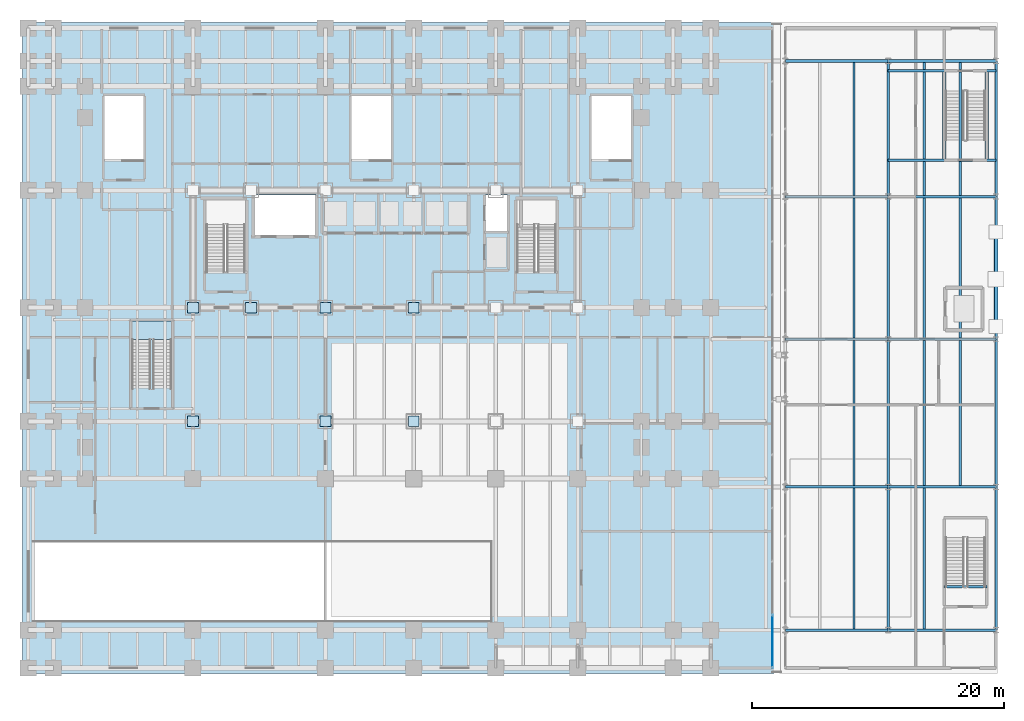
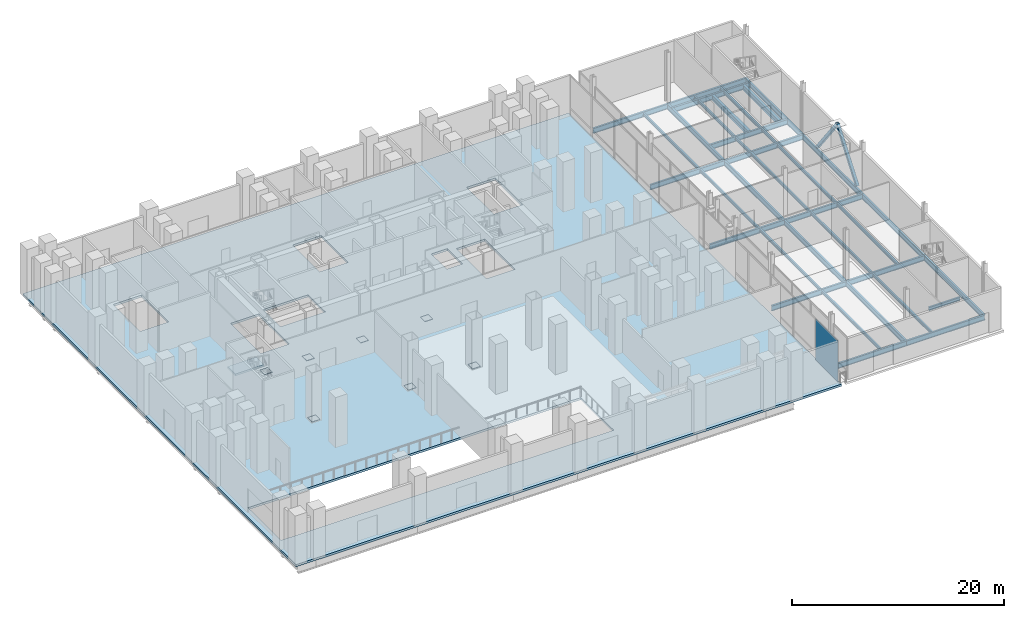
# One storey, part 21 of 36: 34 beams, 8 plates, 2 members, 2 slabs, 8 openings, 2 elements without a shape of their own.
"""IFC4 building model written with IfcOpenShell, lengths in metres."""

from ifc_helpers import new_model, si_unit, direction, frame, origin, origin_2d, place, context, subcontext, project, spatial, polyline, rectangle, hollow_rectangle, i_section, outline, extrude, material, layer, layer_set, material_profile, profile_set, type_object, element, aggregate, save


model = new_model("IFC4")

# Units and contexts
model_context = context("Model", 3, precision=1e-05, world=origin(), true_north=direction((0.0, 1.0)))
body_context = subcontext(model_context, "Body", "Model", "MODEL_VIEW")
ifc_project = project(units=[si_unit("LENGTHUNIT", "METRE"), si_unit("AREAUNIT", "SQUARE_METRE"), si_unit("VOLUMEUNIT", "CUBIC_METRE"), si_unit("PLANEANGLEUNIT", "RADIAN"), si_unit("MASSUNIT", "GRAM", prefix="KILO")], contexts=[model_context])

# Site, building, storey
site_placement = place(None, origin())
site = spatial("IfcSite", under=ifc_project, at=site_placement, CompositionType="ELEMENT")
building_placement = place(site_placement, origin())
building = spatial("IfcBuilding", under=site, at=building_placement, Name="Noeulbin Bourse Tower", CompositionType="ELEMENT")
storey_placement = place(building_placement, origin())
storey = spatial("IfcBuildingStorey", under=building, at=storey_placement, Name="L01", CompositionType="ELEMENT", Elevation=0.0)

# Beams
ifc_material_1 = material(Name="Steel S355", Category="steel")
ifc_material_profile_1 = material_profile(ifc_material_1, i_section(OverallWidth=0.300048828125, OverallDepth=0.587890625, WebThickness=0.011962890625, FlangeThickness=0.02001953125, FilletRadius=0.02392578125, at=origin_2d()), Name="H-588x300x12x20", Category="LoadBearing")
ifc_profile_set_1 = profile_set([ifc_material_profile_1], Name="Steel S355")
beam_type_1 = type_object("IfcBeamType", Name="BM-GRD-588", PredefinedType="USERDEFINED", material=ifc_profile_set_1)
for number, where, z_axis, x_axis, name in (
    (1, (73.0400390625, 40.699951171875, -0.513916015625), (0.0, 1.0, 0.0), (-1.0, 0.0, 0.0), "Stair Shaft Tie Beam MST2-X1"),
    (2, (76.39990234375, 40.699951171875, -0.513916015625), (0.0, 1.0, 0.0), (-1.0, 0.0, 0.0), "Stair Shaft Tie Beam MST2-X2"),
):
    element("IfcBeam", number, at=place(storey_placement, frame(where, z_axis=z_axis, x_axis=x_axis)), inside=storey, type_object=beam_type_1, Name=name, ObjectType="GIRDER", PredefinedType="USERDEFINED", context=body_context, shape_type="SweptSolid", body=[
        extrude(i_section(OverallWidth=0.300048828125, OverallDepth=0.587890625, WebThickness=0.011962890625, FlangeThickness=0.02001953125, FilletRadius=0.02392578125, at=origin_2d()), origin(), (0.0, 0.0, 1.0), 7.06005859375),
    ])
ifc_material_profile_2 = material_profile(ifc_material_1, i_section(OverallWidth=0.199951171875, OverallDepth=0.60009765625, WebThickness=0.010986328125, FlangeThickness=0.01708984375, FilletRadius=0.02197265625, at=origin_2d()), Name="H-600x200x11x17", Category="LoadBearing")
ifc_profile_set_2 = profile_set([ifc_material_profile_2], Name="Steel S355")
beam_type_2 = type_object("IfcBeamType", Name="BM-GRD-600", PredefinedType="USERDEFINED", material=ifc_profile_set_2)
beam_1_placement = place(storey_placement, frame((60.449951171875, 3.449951171875, -0.52001953125), z_axis=(1.0, 0.0, 0.0), x_axis=(0.0, 1.0, 0.0)))
element("IfcBeam", 3, at=beam_1_placement, inside=storey, type_object=beam_type_2, Name="Market Hall Girder EW L01-01", ObjectType="GIRDER", PredefinedType="USERDEFINED", context=body_context, shape_type="SweptSolid", body=[
    extrude(i_section(OverallWidth=0.199951171875, OverallDepth=0.60009765625, WebThickness=0.010986328125, FlangeThickness=0.01708984375, FilletRadius=0.02197265625, at=origin_2d()), origin(), (0.0, 0.0, 1.0), 8.150146484375),
])
beam_2_placement = place(storey_placement, frame((68.60009765625, 3.449951171875, -0.52001953125), z_axis=(1.0, 0.0, 0.0), x_axis=(0.0, 1.0, 0.0)))
element("IfcBeam", 4, at=beam_2_placement, inside=storey, type_object=beam_type_2, Name="Market Hall Girder EW L01-02", ObjectType="GIRDER", PredefinedType="USERDEFINED", context=body_context, shape_type="SweptSolid", body=[
    extrude(i_section(OverallWidth=0.199951171875, OverallDepth=0.60009765625, WebThickness=0.010986328125, FlangeThickness=0.01708984375, FilletRadius=0.02197265625, at=origin_2d()), origin(), (0.0, 0.0, 1.0), 8.5498046875),
])
beam_3_placement = place(storey_placement, frame((60.449951171875, 14.800048828125, -0.52001953125), z_axis=(1.0, 0.0, 0.0), x_axis=(0.0, 1.0, 0.0)))
element("IfcBeam", 5, at=beam_3_placement, inside=storey, type_object=beam_type_2, Name="Market Hall Girder EW L01-03", ObjectType="GIRDER", PredefinedType="USERDEFINED", context=body_context, shape_type="SweptSolid", body=[
    extrude(i_section(OverallWidth=0.199951171875, OverallDepth=0.60009765625, WebThickness=0.010986328125, FlangeThickness=0.01708984375, FilletRadius=0.02197265625, at=origin_2d()), origin(), (0.0, 0.0, 1.0), 8.150146484375),
])
beam_4_placement = place(storey_placement, frame((68.60009765625, 14.800048828125, -0.52001953125), z_axis=(1.0, 0.0, 0.0), x_axis=(0.0, 1.0, 0.0)))
element("IfcBeam", 6, at=beam_4_placement, inside=storey, type_object=beam_type_2, Name="Market Hall Girder EW L01-04", ObjectType="GIRDER", PredefinedType="USERDEFINED", context=body_context, shape_type="SweptSolid", body=[
    extrude(i_section(OverallWidth=0.199951171875, OverallDepth=0.60009765625, WebThickness=0.010986328125, FlangeThickness=0.01708984375, FilletRadius=0.02197265625, at=origin_2d()), origin(), (0.0, 0.0, 1.0), 8.5498046875),
])
beam_5_placement = place(storey_placement, frame((60.449951171875, 26.5, -0.52001953125), z_axis=(1.0, 0.0, 0.0), x_axis=(0.0, 1.0, 0.0)))
element("IfcBeam", 7, at=beam_5_placement, inside=storey, type_object=beam_type_2, Name="Market Hall Girder EW L01-05", ObjectType="GIRDER", PredefinedType="USERDEFINED", context=body_context, shape_type="SweptSolid", body=[
    extrude(i_section(OverallWidth=0.199951171875, OverallDepth=0.60009765625, WebThickness=0.010986328125, FlangeThickness=0.01708984375, FilletRadius=0.02197265625, at=origin_2d()), origin(), (0.0, 0.0, 1.0), 8.150146484375),
])
beam_6_placement = place(storey_placement, frame((68.60009765625, 26.5, -0.52001953125), z_axis=(1.0, 0.0, 0.0), x_axis=(0.0, 1.0, 0.0)))
element("IfcBeam", 8, at=beam_6_placement, inside=storey, type_object=beam_type_2, Name="Market Hall Girder EW L01-06", ObjectType="GIRDER", PredefinedType="USERDEFINED", context=body_context, shape_type="SweptSolid", body=[
    extrude(i_section(OverallWidth=0.199951171875, OverallDepth=0.60009765625, WebThickness=0.010986328125, FlangeThickness=0.01708984375, FilletRadius=0.02197265625, at=origin_2d()), origin(), (0.0, 0.0, 1.0), 8.5498046875),
])
beam_7_placement = place(storey_placement, frame((60.449951171875, 37.800048828125, -0.52001953125), z_axis=(1.0, 0.0, 0.0), x_axis=(0.0, 1.0, 0.0)))
element("IfcBeam", 9, at=beam_7_placement, inside=storey, type_object=beam_type_2, Name="Market Hall Girder EW L01-07", ObjectType="GIRDER", PredefinedType="USERDEFINED", context=body_context, shape_type="SweptSolid", body=[
    extrude(i_section(OverallWidth=0.199951171875, OverallDepth=0.60009765625, WebThickness=0.010986328125, FlangeThickness=0.01708984375, FilletRadius=0.02197265625, at=origin_2d()), origin(), (0.0, 0.0, 1.0), 8.150146484375),
])
beam_8_placement = place(storey_placement, frame((68.60009765625, 37.800048828125, -0.52001953125), z_axis=(1.0, 0.0, 0.0), x_axis=(0.0, 1.0, 0.0)))
element("IfcBeam", 10, at=beam_8_placement, inside=storey, type_object=beam_type_2, Name="Market Hall Girder EW L01-08", ObjectType="GIRDER", PredefinedType="USERDEFINED", context=body_context, shape_type="SweptSolid", body=[
    extrude(i_section(OverallWidth=0.199951171875, OverallDepth=0.60009765625, WebThickness=0.010986328125, FlangeThickness=0.01708984375, FilletRadius=0.02197265625, at=origin_2d()), origin(), (0.0, 0.0, 1.0), 8.5498046875),
])
beam_9_placement = place(storey_placement, frame((60.449951171875, 48.550048828125, -0.52001953125), z_axis=(1.0, 0.0, 0.0), x_axis=(0.0, 1.0, 0.0)))
element("IfcBeam", 11, at=beam_9_placement, inside=storey, type_object=beam_type_2, Name="Market Hall Girder EW L01-09", ObjectType="GIRDER", PredefinedType="USERDEFINED", context=body_context, shape_type="SweptSolid", body=[
    extrude(i_section(OverallWidth=0.199951171875, OverallDepth=0.60009765625, WebThickness=0.010986328125, FlangeThickness=0.01708984375, FilletRadius=0.02197265625, at=origin_2d()), origin(), (0.0, 0.0, 1.0), 8.150146484375),
])
beam_10_placement = place(storey_placement, frame((68.60009765625, 48.550048828125, -0.52001953125), z_axis=(1.0, 0.0, 0.0), x_axis=(0.0, 1.0, 0.0)))
element("IfcBeam", 12, at=beam_10_placement, inside=storey, type_object=beam_type_2, Name="Market Hall Girder EW L01-10", ObjectType="GIRDER", PredefinedType="USERDEFINED", context=body_context, shape_type="SweptSolid", body=[
    extrude(i_section(OverallWidth=0.199951171875, OverallDepth=0.60009765625, WebThickness=0.010986328125, FlangeThickness=0.01708984375, FilletRadius=0.02197265625, at=origin_2d()), origin(), (0.0, 0.0, 1.0), 8.5498046875),
])
beam_11_placement = place(storey_placement, frame((68.60009765625, 3.449951171875, -0.52001953125), z_axis=(0.0, 1.0, 0.0), x_axis=(-1.0, 0.0, 0.0)))
element("IfcBeam", 13, at=beam_11_placement, inside=storey, type_object=beam_type_2, Name="Market Hall Girder NS L01-15", ObjectType="GIRDER", PredefinedType="USERDEFINED", context=body_context, shape_type="SweptSolid", body=[
    extrude(i_section(OverallWidth=0.199951171875, OverallDepth=0.60009765625, WebThickness=0.010986328125, FlangeThickness=0.01708984375, FilletRadius=0.02197265625, at=origin_2d()), origin(), (0.0, 0.0, 1.0), 11.35009765625),
])
beam_12_placement = place(storey_placement, frame((68.60009765625, 14.800048828125, -0.52001953125), z_axis=(0.0, 1.0, 0.0), x_axis=(-1.0, 0.0, 0.0)))
element("IfcBeam", 14, at=beam_12_placement, inside=storey, type_object=beam_type_2, Name="Market Hall Girder NS L01-16", ObjectType="GIRDER", PredefinedType="USERDEFINED", context=body_context, shape_type="SweptSolid", body=[
    extrude(i_section(OverallWidth=0.199951171875, OverallDepth=0.60009765625, WebThickness=0.010986328125, FlangeThickness=0.01708984375, FilletRadius=0.02197265625, at=origin_2d()), origin(), (0.0, 0.0, 1.0), 11.699951171875),
])
beam_13_placement = place(storey_placement, frame((68.60009765625, 26.5, -0.52001953125), z_axis=(0.0, 1.0, 0.0), x_axis=(-1.0, 0.0, 0.0)))
element("IfcBeam", 15, at=beam_13_placement, inside=storey, type_object=beam_type_2, Name="Market Hall Girder NS L01-17", ObjectType="GIRDER", PredefinedType="USERDEFINED", context=body_context, shape_type="SweptSolid", body=[
    extrude(i_section(OverallWidth=0.199951171875, OverallDepth=0.60009765625, WebThickness=0.010986328125, FlangeThickness=0.01708984375, FilletRadius=0.02197265625, at=origin_2d()), origin(), (0.0, 0.0, 1.0), 11.300048828125),
])
beam_14_placement = place(storey_placement, frame((68.60009765625, 37.800048828125, -0.52001953125), z_axis=(0.0, 1.0, 0.0), x_axis=(-1.0, 0.0, 0.0)))
element("IfcBeam", 16, at=beam_14_placement, inside=storey, type_object=beam_type_2, Name="Market Hall Girder NS L01-18", ObjectType="GIRDER", PredefinedType="USERDEFINED", context=body_context, shape_type="SweptSolid", body=[
    extrude(i_section(OverallWidth=0.199951171875, OverallDepth=0.60009765625, WebThickness=0.010986328125, FlangeThickness=0.01708984375, FilletRadius=0.02197265625, at=origin_2d()), origin(), (0.0, 0.0, 1.0), 10.75),
])
beam_15_placement = place(storey_placement, frame((77.14990234375, 3.449951171875, -0.52001953125), z_axis=(0.0, 1.0, 0.0), x_axis=(-1.0, 0.0, 0.0)))
element("IfcBeam", 17, at=beam_15_placement, inside=storey, type_object=beam_type_2, Name="Market Hall Girder NS L01-19", ObjectType="GIRDER", PredefinedType="USERDEFINED", context=body_context, shape_type="SweptSolid", body=[
    extrude(i_section(OverallWidth=0.199951171875, OverallDepth=0.60009765625, WebThickness=0.010986328125, FlangeThickness=0.01708984375, FilletRadius=0.02197265625, at=origin_2d()), origin(), (0.0, 0.0, 1.0), 11.35009765625),
])
beam_16_placement = place(storey_placement, frame((77.14990234375, 14.800048828125, -0.52001953125), z_axis=(0.0, 1.0, 0.0), x_axis=(-1.0, 0.0, 0.0)))
element("IfcBeam", 18, at=beam_16_placement, inside=storey, type_object=beam_type_2, Name="Market Hall Girder NS L01-20", ObjectType="GIRDER", PredefinedType="USERDEFINED", context=body_context, shape_type="SweptSolid", body=[
    extrude(i_section(OverallWidth=0.199951171875, OverallDepth=0.60009765625, WebThickness=0.010986328125, FlangeThickness=0.01708984375, FilletRadius=0.02197265625, at=origin_2d()), origin(), (0.0, 0.0, 1.0), 11.699951171875),
])
beam_17_placement = place(storey_placement, frame((77.14990234375, 26.5, -0.52001953125), z_axis=(0.0, 1.0, 0.0), x_axis=(-1.0, 0.0, 0.0)))
element("IfcBeam", 19, at=beam_17_placement, inside=storey, type_object=beam_type_2, Name="Market Hall Girder NS L01-21", ObjectType="GIRDER", PredefinedType="USERDEFINED", context=body_context, shape_type="SweptSolid", body=[
    extrude(i_section(OverallWidth=0.199951171875, OverallDepth=0.60009765625, WebThickness=0.010986328125, FlangeThickness=0.01708984375, FilletRadius=0.02197265625, at=origin_2d()), origin(), (0.0, 0.0, 1.0), 11.300048828125),
])
beam_18_placement = place(storey_placement, frame((77.14990234375, 37.800048828125, -0.52001953125), z_axis=(0.0, 1.0, 0.0), x_axis=(-1.0, 0.0, 0.0)))
element("IfcBeam", 20, at=beam_18_placement, inside=storey, type_object=beam_type_2, Name="Market Hall Girder NS L01-22", ObjectType="GIRDER", PredefinedType="USERDEFINED", context=body_context, shape_type="SweptSolid", body=[
    extrude(i_section(OverallWidth=0.199951171875, OverallDepth=0.60009765625, WebThickness=0.010986328125, FlangeThickness=0.01708984375, FilletRadius=0.02197265625, at=origin_2d()), origin(), (0.0, 0.0, 1.0), 10.75),
])
for number, where, z_axis, x_axis, name in (
    (21, (68.60009765625, 40.699951171875, -0.52001953125), (1.0, 0.0, 0.0), (0.0, 1.0, 0.0), "Stair Shaft Support Girder MST2-Y1"),
    (22, (68.60009765625, 47.760009765625, -0.52001953125), (1.0, 0.0, 0.0), (0.0, 1.0, 0.0), "Stair Shaft Support Girder MST2-Y2"),
):
    element("IfcBeam", number, at=place(storey_placement, frame(where, z_axis=z_axis, x_axis=x_axis)), inside=storey, type_object=beam_type_2, Name=name, ObjectType="GIRDER", PredefinedType="USERDEFINED", context=body_context, shape_type="SweptSolid", body=[
        extrude(i_section(OverallWidth=0.199951171875, OverallDepth=0.60009765625, WebThickness=0.010986328125, FlangeThickness=0.01708984375, FilletRadius=0.02197265625, at=origin_2d()), origin(), (0.0, 0.0, 1.0), 8.5498046875),
    ])
ifc_material_profile_3 = material_profile(ifc_material_1, i_section(OverallWidth=0.175048828125, OverallDepth=0.35009765625, WebThickness=0.007080078125, FlangeThickness=0.010986328125, FilletRadius=0.013916015625, at=origin_2d()), Name="H-350x175x7x11", Category="LoadBearing")
ifc_profile_set_3 = profile_set([ifc_material_profile_3], Name="Steel S355")
beam_type_3 = type_object("IfcBeamType", Name="BM-JST-350", PredefinedType="JOIST", material=ifc_profile_set_3)
beam_19_placement = place(storey_placement, frame((65.88330078125, 3.550048828125, -0.39501953125), z_axis=(0.0, 1.0, 0.0), x_axis=(-1.0, 0.0, 0.0)))
element("IfcBeam", 23, at=beam_19_placement, inside=storey, type_object=beam_type_3, Name="Market Hall Secondary Joist L01-05", PredefinedType="JOIST", context=body_context, shape_type="SweptSolid", body=[
    extrude(i_section(OverallWidth=0.175048828125, OverallDepth=0.35009765625, WebThickness=0.007080078125, FlangeThickness=0.010986328125, FilletRadius=0.013916015625, at=origin_2d()), origin(), (0.0, 0.0, 1.0), 11.14990234375),
])
beam_20_placement = place(storey_placement, frame((65.88330078125, 14.89990234375, -0.39501953125), z_axis=(0.0, 1.0, 0.0), x_axis=(-1.0, 0.0, 0.0)))
element("IfcBeam", 24, at=beam_20_placement, inside=storey, type_object=beam_type_3, Name="Market Hall Secondary Joist L01-06", PredefinedType="JOIST", context=body_context, shape_type="SweptSolid", body=[
    extrude(i_section(OverallWidth=0.175048828125, OverallDepth=0.35009765625, WebThickness=0.007080078125, FlangeThickness=0.010986328125, FilletRadius=0.013916015625, at=origin_2d()), origin(), (0.0, 0.0, 1.0), 11.5),
])
beam_21_placement = place(storey_placement, frame((65.88330078125, 26.60009765625, -0.39501953125), z_axis=(0.0, 1.0, 0.0), x_axis=(-1.0, 0.0, 0.0)))
element("IfcBeam", 25, at=beam_21_placement, inside=storey, type_object=beam_type_3, Name="Market Hall Secondary Joist L01-07", PredefinedType="JOIST", context=body_context, shape_type="SweptSolid", body=[
    extrude(i_section(OverallWidth=0.175048828125, OverallDepth=0.35009765625, WebThickness=0.007080078125, FlangeThickness=0.010986328125, FilletRadius=0.013916015625, at=origin_2d()), origin(), (0.0, 0.0, 1.0), 11.099853515625),
])
beam_22_placement = place(storey_placement, frame((65.88330078125, 37.89990234375, -0.39501953125), z_axis=(0.0, 1.0, 0.0), x_axis=(-1.0, 0.0, 0.0)))
element("IfcBeam", 26, at=beam_22_placement, inside=storey, type_object=beam_type_3, Name="Market Hall Secondary Joist L01-08", PredefinedType="JOIST", context=body_context, shape_type="SweptSolid", body=[
    extrude(i_section(OverallWidth=0.175048828125, OverallDepth=0.35009765625, WebThickness=0.007080078125, FlangeThickness=0.010986328125, FilletRadius=0.013916015625, at=origin_2d()), origin(), (0.0, 0.0, 1.0), 10.550048828125),
])
beam_23_placement = place(storey_placement, frame((71.449951171875, 3.550048828125, -0.39501953125), z_axis=(0.0, 1.0, 0.0), x_axis=(-1.0, 0.0, 0.0)))
element("IfcBeam", 27, at=beam_23_placement, inside=storey, type_object=beam_type_3, Name="Market Hall Secondary Joist L01-09", PredefinedType="JOIST", context=body_context, shape_type="SweptSolid", body=[
    extrude(i_section(OverallWidth=0.175048828125, OverallDepth=0.35009765625, WebThickness=0.007080078125, FlangeThickness=0.010986328125, FilletRadius=0.013916015625, at=origin_2d()), origin(), (0.0, 0.0, 1.0), 11.14990234375),
])
beam_24_placement = place(storey_placement, frame((71.449951171875, 14.89990234375, -0.39501953125), z_axis=(0.0, 1.0, 0.0), x_axis=(-1.0, 0.0, 0.0)))
element("IfcBeam", 28, at=beam_24_placement, inside=storey, type_object=beam_type_3, Name="Market Hall Secondary Joist L01-10", PredefinedType="JOIST", context=body_context, shape_type="SweptSolid", body=[
    extrude(i_section(OverallWidth=0.175048828125, OverallDepth=0.35009765625, WebThickness=0.007080078125, FlangeThickness=0.010986328125, FilletRadius=0.013916015625, at=origin_2d()), origin(), (0.0, 0.0, 1.0), 11.5),
])
beam_25_placement = place(storey_placement, frame((71.449951171875, 26.60009765625, -0.39501953125), z_axis=(0.0, 1.0, 0.0), x_axis=(-1.0, 0.0, 0.0)))
element("IfcBeam", 29, at=beam_25_placement, inside=storey, type_object=beam_type_3, Name="Market Hall Secondary Joist L01-11", PredefinedType="JOIST", context=body_context, shape_type="SweptSolid", body=[
    extrude(i_section(OverallWidth=0.175048828125, OverallDepth=0.35009765625, WebThickness=0.007080078125, FlangeThickness=0.010986328125, FilletRadius=0.013916015625, at=origin_2d()), origin(), (0.0, 0.0, 1.0), 11.099853515625),
])
beam_26_placement = place(storey_placement, frame((71.449951171875, 37.89990234375, -0.39501953125), z_axis=(0.0, 1.0, 0.0), x_axis=(-1.0, 0.0, 0.0)))
element("IfcBeam", 30, at=beam_26_placement, inside=storey, type_object=beam_type_3, Name="Market Hall Secondary Joist L01-12", PredefinedType="JOIST", context=body_context, shape_type="SweptSolid", body=[
    extrude(i_section(OverallWidth=0.175048828125, OverallDepth=0.35009765625, WebThickness=0.007080078125, FlangeThickness=0.010986328125, FilletRadius=0.013916015625, at=origin_2d()), origin(), (0.0, 0.0, 1.0), 10.550048828125),
])
beam_27_placement = place(storey_placement, frame((74.300048828125, 14.89990234375, -0.39501953125), z_axis=(0.0, 1.0, 0.0), x_axis=(-1.0, 0.0, 0.0)))
element("IfcBeam", 31, at=beam_27_placement, inside=storey, type_object=beam_type_3, Name="Market Hall Secondary Joist L01-13", PredefinedType="JOIST", context=body_context, shape_type="SweptSolid", body=[
    extrude(i_section(OverallWidth=0.175048828125, OverallDepth=0.35009765625, WebThickness=0.007080078125, FlangeThickness=0.010986328125, FilletRadius=0.013916015625, at=origin_2d()), origin(), (0.0, 0.0, 1.0), 11.5),
])
beam_28_placement = place(storey_placement, frame((74.300048828125, 26.60009765625, -0.39501953125), z_axis=(0.0, 1.0, 0.0), x_axis=(-1.0, 0.0, 0.0)))
element("IfcBeam", 32, at=beam_28_placement, inside=storey, type_object=beam_type_3, Name="Market Hall Secondary Joist L01-14", PredefinedType="JOIST", context=body_context, shape_type="SweptSolid", body=[
    extrude(i_section(OverallWidth=0.175048828125, OverallDepth=0.35009765625, WebThickness=0.007080078125, FlangeThickness=0.010986328125, FilletRadius=0.013916015625, at=origin_2d()), origin(), (0.0, 0.0, 1.0), 11.099853515625),
])
beam_29_placement = place(storey_placement, frame((74.300048828125, 37.89990234375, -0.39501953125), z_axis=(0.0, 1.0, 0.0), x_axis=(-1.0, 0.0, 0.0)))
element("IfcBeam", 33, at=beam_29_placement, inside=storey, type_object=beam_type_3, Name="Market Hall Secondary Joist L01-15", PredefinedType="JOIST", context=body_context, shape_type="SweptSolid", body=[
    extrude(i_section(OverallWidth=0.175048828125, OverallDepth=0.35009765625, WebThickness=0.007080078125, FlangeThickness=0.010986328125, FilletRadius=0.013916015625, at=origin_2d()), origin(), (0.0, 0.0, 1.0), 10.550048828125),
])
ifc_material_profile_4 = material_profile(ifc_material_1, i_section(OverallWidth=0.199951171875, OverallDepth=0.39990234375, WebThickness=0.008056640625, FlangeThickness=0.012939453125, FilletRadius=0.01611328125, at=origin_2d()), Name="H-400x200x8x13", Category="LoadBearing")
ifc_profile_set_4 = profile_set([ifc_material_profile_4], Name="Steel S355")
beam_type_4 = type_object("IfcBeamType", Name="BM-SEC-400", PredefinedType="BEAM", material=ifc_profile_set_4)
beam_30_placement = place(storey_placement, frame((73.02001953125, 6.889892578125, -0.199951171875), z_axis=(1.0, 0.0, 0.0), x_axis=(0.0, 1.0, 0.0)))
element("IfcBeam", 34, at=beam_30_placement, inside=storey, type_object=beam_type_4, Name="Stair Threshold Trimmer Beam MST1-L01", PredefinedType="BEAM", context=body_context, shape_type="SweptSolid", body=[
    extrude(i_section(OverallWidth=0.199951171875, OverallDepth=0.39990234375, WebThickness=0.008056640625, FlangeThickness=0.012939453125, FilletRadius=0.01611328125, at=origin_2d()), origin(), (0.0, 0.0, 1.0), 3.39990234375),
])

# Members
ifc_material_profile_5 = material_profile(ifc_material_1, hollow_rectangle(XDim=0.320068359375, YDim=0.320068359375, WallThickness=0.013916015625, InnerFilletRadius=0.013916015625, OuterFilletRadius=0.028076171875, at=origin_2d()), Name="SHS-320x320x14", Category="LoadBearing")
ifc_profile_set_5 = profile_set([ifc_material_profile_5], Name="Steel S355")
member_type = type_object("IfcMemberType", Name="MEM-MKT-320", PredefinedType="BRACE", material=ifc_profile_set_5)
for number, where, z_axis, x_axis, name in (
    (35, (77.14990234375, 27.5, 0.010009765625), (0.0, 0.60619540531, 0.795315742696), (-1.0, 0.0, 0.0), "Market Hall Braced Frame Diagonal MB-L01-1"),
    (36, (77.14990234375, 31.25, 4.929931640625), (0.0, 0.60619540531, -0.795315742696), (-1.0, 0.0, 0.0), "Market Hall Braced Frame Diagonal MB-L01-2"),
):
    element("IfcMember", number, at=place(storey_placement, frame(where, z_axis=z_axis, x_axis=x_axis)), inside=storey, type_object=member_type, Name=name, PredefinedType="BRACE", context=body_context, shape_type="SweptSolid", body=[
        extrude(hollow_rectangle(XDim=0.320068359375, YDim=0.320068359375, WallThickness=0.013916015625, InnerFilletRadius=0.013916015625, OuterFilletRadius=0.028076171875, at=origin_2d()), origin(), (0.0, 0.0, 1.0), 6.18603515625),
    ])

# Curtain wall, plate
ifc_material_2 = material(Name="Laminated Clear Low-E Glass", Category="glass")
curtain_wall_type = type_object("IfcCurtainWallType", Name="CW-SYS-1", PredefinedType="NOTDEFINED", material=ifc_material_2)
curtain_wall_placement = place(storey_placement, origin())
curtain_wall = element("IfcCurtainWall", 37, at=curtain_wall_placement, inside=storey, type_object=curtain_wall_type, Name="Unitised Curtain Wall CW-L01-GAL-W", PredefinedType="NOTDEFINED")
ifc_layer_1 = layer(ifc_material_2, 0.035888671875)
ifc_layer_set_1 = layer_set([ifc_layer_1], Name="Laminated Clear Low-E Glass")
plate_type_1 = type_object("IfcPlateType", Name="CW-SYS-1-PNL", PredefinedType="CURTAIN_PANEL", material=ifc_layer_set_1)
plate_placement = place(storey_placement, frame((59.419921875, 2.5625, 0.0), z_axis=(0.0, 0.0, 1.0), x_axis=(0.0, 1.0, 0.0)))
plate = element("IfcPlate", 38, at=plate_placement, type_object=plate_type_1, Name="Glazed Curtain Panel CW-L01-GAL-W-P00", PredefinedType="CURTAIN_PANEL", context=body_context, shape_type="SweptSolid", body=[
    extrude(rectangle(XDim=4.22509765625, YDim=0.035888671875, at=origin_2d()), origin(), (0.0, 0.0, 1.0), 4.75),
])
aggregate(curtain_wall, [plate])

# Plates
ifc_layer_2 = layer(ifc_material_1, 0.030029296875)
ifc_layer_set_2 = layer_set([ifc_layer_2], Name="Steel S355")
plate_type_2 = type_object("IfcPlateType", Name="PLT-BN1", PredefinedType="USERDEFINED", material=ifc_layer_set_2)
for number, where, z_axis, x_axis, name in (
    (39, (13.5, 29.0, 0.0048828125), (0.0, 0.0, 1.0), (1.0, 0.0, 0.0), "Mega-Column Splice Plate BN1-L01-01"),
    (40, (18.10009765625, 29.0, 0.0048828125), (0.0, 0.0, 1.0), (1.0, 0.0, 0.0), "Mega-Column Splice Plate BN1-L01-03"),
    (41, (24.0, 29.0, 0.0048828125), (0.0, 0.0, 1.0), (1.0, 0.0, 0.0), "Mega-Column Splice Plate BN1-L01-05"),
    (42, (31.0, 29.0, 0.0048828125), (0.0, 0.0, 1.0), (1.0, 0.0, 0.0), "Mega-Column Splice Plate BN1-L01-07"),
    (43, (13.5, 20.0, 0.0048828125), (0.0, 0.0, 1.0), (1.0, 0.0, 0.0), "Mega-Column Splice Plate BN1-L01-13"),
    (44, (24.0, 20.0, 0.0048828125), (0.0, 0.0, 1.0), (1.0, 0.0, 0.0), "Mega-Column Splice Plate BN1-L01-14"),
    (45, (31.0, 20.0, 0.0048828125), (0.0, 0.0, 1.0), (1.0, 0.0, 0.0), "Mega-Column Splice Plate BN1-L01-15"),
):
    element("IfcPlate", number, at=place(storey_placement, frame(where, z_axis=z_axis, x_axis=x_axis)), inside=storey, type_object=plate_type_2, Name=name, ObjectType="SPLICE PLATE", PredefinedType="USERDEFINED", context=body_context, shape_type="SweptSolid", body=[
        extrude(rectangle(XDim=0.85009765625, YDim=0.85009765625, at=origin_2d()), origin(), (0.0, 0.0, 1.0), 0.030029296875),
    ])

# Stair, slab
ifc_material_3 = material(Name="Concrete C40/50", Category="concrete")
stair_type = type_object("IfcStairType", Name="STR-AUX-1620", PredefinedType="HALF_TURN_STAIR", material=ifc_material_3)
stair_placement = place(storey_placement, origin())
stair = element("IfcStair", 46, at=stair_placement, inside=storey, type_object=stair_type, Name="L01 ST-P1", PredefinedType="HALF_TURN_STAIR")
ifc_layer_3 = layer(ifc_material_3, 0.199951171875)
ifc_layer_set_3 = layer_set([ifc_layer_3], Name="Concrete C40/50")
slab_type_1 = type_object("IfcSlabType", Name="SLB-LND-200", PredefinedType="LANDING", material=ifc_layer_set_3)
slab_1_placement = place(storey_placement, frame((0.0, 0.0, 2.699951171875)))
slab_1 = element("IfcSlab", 47, at=slab_1_placement, type_object=slab_type_1, Name="ST-P1 landing 1", PredefinedType="LANDING", context=body_context, shape_type="SweptSolid", body=[
    extrude(outline(polyline([(11.800048828125, 26.47998046875), (11.800048828125, 27.93994140625), (8.679931640625, 27.93994140625), (8.679931640625, 26.47998046875), (11.800048828125, 26.47998046875)])), origin(), (0.0, 0.0, 1.0), 0.199951171875),
])
aggregate(stair, [slab_1])

# Slab, openings
ifc_layer_4 = layer(ifc_material_3, 0.25)
ifc_layer_set_4 = layer_set([ifc_layer_4], Name="Concrete C40/50")
slab_type_2 = type_object("IfcSlabType", Name="SLB-POD-250", PredefinedType="FLOOR", material=ifc_layer_set_4)
slab_2_placement = place(storey_placement, frame((0.0, 0.0, -0.25)))
slab_2 = element("IfcSlab", 48, at=slab_2_placement, inside=storey, type_object=slab_type_2, Name="Exchange Podium Floor Slab L01", PredefinedType="FLOOR", context=body_context, shape_type="SweptSolid", body=[
    extrude(outline(polyline([(0.0, 0.0), (59.550048828125, 0.0), (59.550048828125, 51.60009765625), (0.0, 51.60009765625), (0.0, 0.0)]), holes=[polyline([(17.64990234375, 31.81005859375), (17.64990234375, 37.5439453125), (14.550048828125, 37.5439453125), (14.550048828125, 31.81005859375), (17.64990234375, 31.81005859375)]), polyline([(42.280029296875, 31.81005859375), (42.280029296875, 37.5439453125), (39.179931640625, 37.5439453125), (39.179931640625, 31.81005859375), (42.280029296875, 31.81005859375)]), polyline([(9.60009765625, 40.679931640625), (9.60009765625, 45.780029296875), (6.47998046875, 45.780029296875), (6.47998046875, 40.679931640625), (9.60009765625, 40.679931640625)]), polyline([(29.199951171875, 40.679931640625), (29.199951171875, 45.780029296875), (26.080078125, 45.780029296875), (26.080078125, 40.679931640625), (29.199951171875, 40.679931640625)]), polyline([(48.199951171875, 40.679931640625), (48.199951171875, 45.780029296875), (45.080078125, 45.780029296875), (45.080078125, 40.679931640625), (48.199951171875, 40.679931640625)]), polyline([(18.35009765625, 34.699951171875), (23.25, 34.699951171875), (23.25, 37.949951171875), (18.35009765625, 37.949951171875), (18.35009765625, 34.699951171875)]), polyline([(36.699951171875, 35.050048828125), (38.449951171875, 35.050048828125), (38.449951171875, 37.949951171875), (36.699951171875, 37.949951171875), (36.699951171875, 35.050048828125)]), polyline([(0.800048828125, 4.199951171875), (37.10009765625, 4.199951171875), (37.10009765625, 10.39990234375), (0.800048828125, 10.39990234375), (0.800048828125, 4.199951171875)])]), origin(), (0.0, 0.0, 1.0), 0.25),
])
opening_1_placement = place(slab_2_placement, frame((0.0, 0.0, -0.010009765625)))
element("IfcOpeningElement", 49, at=opening_1_placement, cuts=slab_2, Name="Slab Shaft Opening SLB-L01-POD-1", PredefinedType="OPENING", context=body_context, shape_type="SweptSolid", body=[
    extrude(outline(polyline([(17.64990234375, 31.81005859375), (17.64990234375, 37.5439453125), (14.550048828125, 37.5439453125), (14.550048828125, 31.81005859375), (17.64990234375, 31.81005859375)])), origin(), (0.0, 0.0, 1.0), 0.27001953125),
])
opening_2_placement = place(slab_2_placement, frame((0.0, 0.0, -0.010009765625)))
element("IfcOpeningElement", 50, at=opening_2_placement, cuts=slab_2, Name="Slab Shaft Opening SLB-L01-POD-2", PredefinedType="OPENING", context=body_context, shape_type="SweptSolid", body=[
    extrude(outline(polyline([(42.280029296875, 31.81005859375), (42.280029296875, 37.5439453125), (39.179931640625, 37.5439453125), (39.179931640625, 31.81005859375), (42.280029296875, 31.81005859375)])), origin(), (0.0, 0.0, 1.0), 0.27001953125),
])
opening_3_placement = place(slab_2_placement, frame((0.0, 0.0, -0.010009765625)))
element("IfcOpeningElement", 51, at=opening_3_placement, cuts=slab_2, Name="Slab Shaft Opening SLB-L01-POD-3", PredefinedType="OPENING", context=body_context, shape_type="SweptSolid", body=[
    extrude(outline(polyline([(9.60009765625, 40.679931640625), (9.60009765625, 45.780029296875), (6.47998046875, 45.780029296875), (6.47998046875, 40.679931640625), (9.60009765625, 40.679931640625)])), origin(), (0.0, 0.0, 1.0), 0.27001953125),
])
opening_4_placement = place(slab_2_placement, frame((0.0, 0.0, -0.010009765625)))
element("IfcOpeningElement", 52, at=opening_4_placement, cuts=slab_2, Name="Slab Shaft Opening SLB-L01-POD-4", PredefinedType="OPENING", context=body_context, shape_type="SweptSolid", body=[
    extrude(outline(polyline([(29.199951171875, 40.679931640625), (29.199951171875, 45.780029296875), (26.080078125, 45.780029296875), (26.080078125, 40.679931640625), (29.199951171875, 40.679931640625)])), origin(), (0.0, 0.0, 1.0), 0.27001953125),
])
opening_5_placement = place(slab_2_placement, frame((0.0, 0.0, -0.010009765625)))
element("IfcOpeningElement", 53, at=opening_5_placement, cuts=slab_2, Name="Slab Shaft Opening SLB-L01-POD-5", PredefinedType="OPENING", context=body_context, shape_type="SweptSolid", body=[
    extrude(outline(polyline([(48.199951171875, 40.679931640625), (48.199951171875, 45.780029296875), (45.080078125, 45.780029296875), (45.080078125, 40.679931640625), (48.199951171875, 40.679931640625)])), origin(), (0.0, 0.0, 1.0), 0.27001953125),
])
opening_6_placement = place(slab_2_placement, frame((0.0, 0.0, -0.010009765625)))
element("IfcOpeningElement", 54, at=opening_6_placement, cuts=slab_2, Name="Slab Shaft Opening SLB-L01-POD-6", PredefinedType="OPENING", context=body_context, shape_type="SweptSolid", body=[
    extrude(outline(polyline([(18.35009765625, 34.699951171875), (23.25, 34.699951171875), (23.25, 37.949951171875), (18.35009765625, 37.949951171875), (18.35009765625, 34.699951171875)])), origin(), (0.0, 0.0, 1.0), 0.27001953125),
])
opening_7_placement = place(slab_2_placement, frame((0.0, 0.0, -0.010009765625)))
element("IfcOpeningElement", 55, at=opening_7_placement, cuts=slab_2, Name="Slab Shaft Opening SLB-L01-POD-7", PredefinedType="OPENING", context=body_context, shape_type="SweptSolid", body=[
    extrude(outline(polyline([(36.699951171875, 35.050048828125), (38.449951171875, 35.050048828125), (38.449951171875, 37.949951171875), (36.699951171875, 37.949951171875), (36.699951171875, 35.050048828125)])), origin(), (0.0, 0.0, 1.0), 0.27001953125),
])
opening_8_placement = place(slab_2_placement, frame((0.0, 0.0, -0.010009765625)))
element("IfcOpeningElement", 56, at=opening_8_placement, cuts=slab_2, Name="Slab Shaft Opening SLB-L01-POD-8", PredefinedType="OPENING", context=body_context, shape_type="SweptSolid", body=[
    extrude(outline(polyline([(0.800048828125, 4.199951171875), (37.10009765625, 4.199951171875), (37.10009765625, 10.39990234375), (0.800048828125, 10.39990234375), (0.800048828125, 4.199951171875)])), origin(), (0.0, 0.0, 1.0), 0.27001953125),
])

save(model, "model.ifc")
